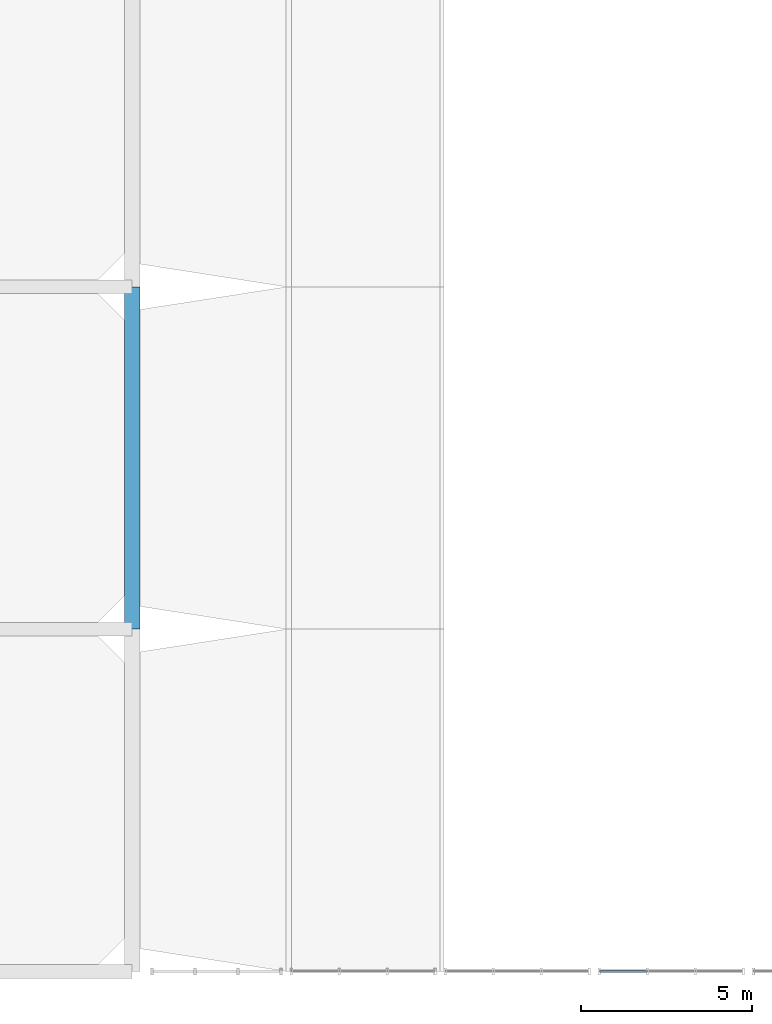
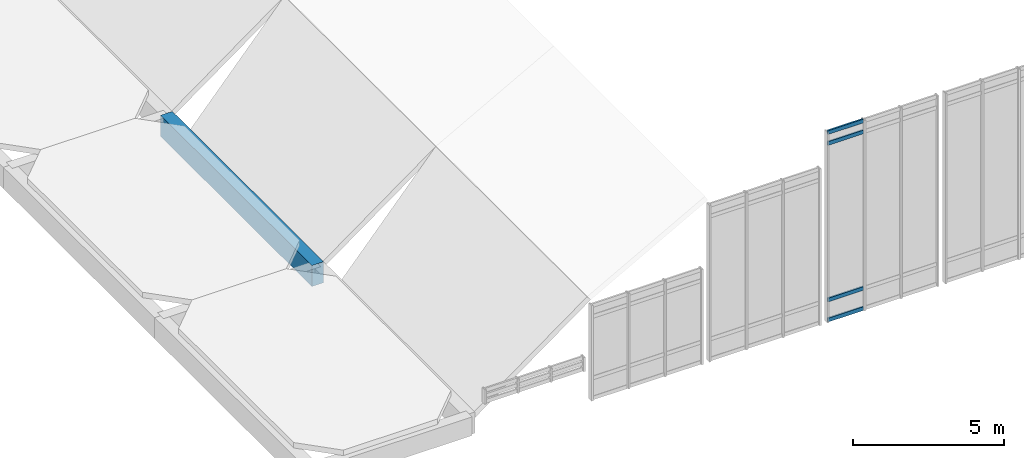
# One storey, part 43 of 82: 4 members, 1 beam, 1 element without a shape of its own.
"""IFC4 building model written with IfcOpenShell, lengths in metres."""

from ifc_helpers import new_model, si_unit, direction, frame, origin, origin_2d, place, context, subcontext, project, spatial, rectangle, hollow_rectangle, extrude, material, layer, layer_set, material_profile, profile_set, type_object, element, aggregate, save


model = new_model("IFC4")

# Units and contexts
model_context = context("Model", 3, precision=1e-05, world=origin(), true_north=direction((0.0, 1.0)))
body_context = subcontext(model_context, "Body", "Model", "MODEL_VIEW")
ifc_project = project(units=[si_unit("LENGTHUNIT", "METRE"), si_unit("AREAUNIT", "SQUARE_METRE"), si_unit("VOLUMEUNIT", "CUBIC_METRE"), si_unit("PLANEANGLEUNIT", "RADIAN"), si_unit("MASSUNIT", "GRAM", prefix="KILO")], contexts=[model_context])

# Site, building, storey
site_placement = place(None, origin())
site = spatial("IfcSite", under=ifc_project, at=site_placement, CompositionType="ELEMENT")
building_placement = place(site_placement, origin())
building = spatial("IfcBuilding", under=site, at=building_placement, Name="Mersad Railyard Sports Hall", CompositionType="ELEMENT")
storey_placement = place(building_placement, frame((0.0, 0.0, 13.199951171875)))
storey = spatial("IfcBuildingStorey", under=building, at=storey_placement, Name="L03", CompositionType="ELEMENT", Elevation=13.199951171875)

# Curtain wall, members
ifc_material_1 = material(Name="Aluminium 6063-T6", Category="aluminium")
ifc_layer = layer(ifc_material_1, 0.199951171875)
ifc_layer_set = layer_set([ifc_layer], Name="Aluminium 6063-T6")
curtain_wall_type = type_object("IfcCurtainWallType", Name="ARC-CW-CW46", PredefinedType="USERDEFINED", material=ifc_layer_set)
curtain_wall_placement = place(storey_placement, origin())
curtain_wall = element("IfcCurtainWall", 1, at=curtain_wall_placement, inside=storey, type_object=curtain_wall_type, Name="Curtain wall CW46-0118", ObjectType="CURTAIN WALL", PredefinedType="USERDEFINED")
ifc_material_profile_1 = material_profile(ifc_material_1, hollow_rectangle(XDim=0.06494140625, YDim=0.14990234375, WallThickness=0.00439453125, at=origin_2d()), Name="AL TRANSOM 65x150x4.5")
ifc_profile_set_1 = profile_set([ifc_material_profile_1], Name="Aluminium 6063-T6")
member_type = type_object("IfcMemberType", Name="ARC-CW-TRN02", PredefinedType="USERDEFINED", material=ifc_profile_set_1)
member_1_placement = place(storey_placement, frame((152.030029296875, 3.5, -1.2099609375), z_axis=(-1.0, 0.0, 0.0), x_axis=(0.0, -1.0, 0.0)))
member_1 = element("IfcMember", 2, at=member_1_placement, type_object=member_type, Name="CW46 Transom 1-3", ObjectType="TRANSOM", PredefinedType="USERDEFINED", context=body_context, shape_type="SweptSolid", body=[
    extrude(hollow_rectangle(XDim=0.06494140625, YDim=0.14990234375, WallThickness=0.00439453125, at=origin_2d()), origin(), (0.0, 0.0, 1.0), 1.360107421875),
])
member_2_placement = place(storey_placement, frame((152.030029296875, 3.5, -0.39990234375), z_axis=(-1.0, 0.0, 0.0), x_axis=(0.0, -1.0, 0.0)))
member_2 = element("IfcMember", 3, at=member_2_placement, type_object=member_type, Name="CW46 Transom 2-3", ObjectType="TRANSOM", PredefinedType="USERDEFINED", context=body_context, shape_type="SweptSolid", body=[
    extrude(hollow_rectangle(XDim=0.06494140625, YDim=0.14990234375, WallThickness=0.00439453125, at=origin_2d()), origin(), (0.0, 0.0, 1.0), 1.360107421875),
])
member_3_placement = place(storey_placement, frame((152.030029296875, 3.5, 5.9150390625), z_axis=(-1.0, 0.0, 0.0), x_axis=(0.0, -1.0, 0.0)))
member_3 = element("IfcMember", 4, at=member_3_placement, type_object=member_type, Name="CW46 Transom 3-3", ObjectType="TRANSOM", PredefinedType="USERDEFINED", context=body_context, shape_type="SweptSolid", body=[
    extrude(hollow_rectangle(XDim=0.06494140625, YDim=0.14990234375, WallThickness=0.00439453125, at=origin_2d()), origin(), (0.0, 0.0, 1.0), 1.360107421875),
])
member_4_placement = place(storey_placement, frame((152.030029296875, 3.5, 6.35498046875), z_axis=(-1.0, 0.0, 0.0), x_axis=(0.0, -1.0, 0.0)))
member_4 = element("IfcMember", 5, at=member_4_placement, type_object=member_type, Name="CW46 Transom 4-3", ObjectType="TRANSOM", PredefinedType="USERDEFINED", context=body_context, shape_type="SweptSolid", body=[
    extrude(hollow_rectangle(XDim=0.06494140625, YDim=0.14990234375, WallThickness=0.00439453125, at=origin_2d()), origin(), (0.0, 0.0, 1.0), 1.360107421875),
])
aggregate(curtain_wall, [member_1, member_2, member_3, member_4])

# Beam
ifc_material_2 = material(Name="Concrete C40/50", Category="concrete")
ifc_material_profile_2 = material_profile(ifc_material_2, rectangle(XDim=0.449951171875, YDim=0.85009765625, at=origin_2d()), Name="RC 450x850")
ifc_profile_set_2 = profile_set([ifc_material_profile_2], Name="Concrete C40/50")
beam_type = type_object("IfcBeamType", Name="STR-BM-B02", PredefinedType="BEAM", material=ifc_profile_set_2)
beam_placement = place(storey_placement, frame((137.0, 13.5, -0.64501953125), z_axis=(0.0, 1.0, 0.0), x_axis=(-1.0, 0.0, 0.0)))
element("IfcBeam", 6, at=beam_placement, inside=storey, type_object=beam_type, Name="Beam B02-0677", PredefinedType="BEAM", context=body_context, shape_type="SweptSolid", body=[
    extrude(rectangle(XDim=0.449951171875, YDim=0.85009765625, at=origin_2d()), origin(), (0.0, 0.0, 1.0), 10.0),
])

save(model, "model.ifc")
